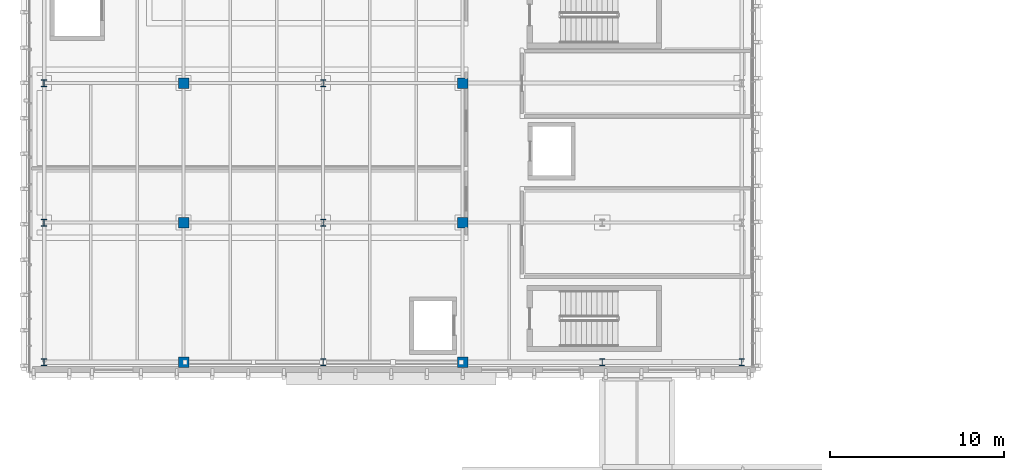
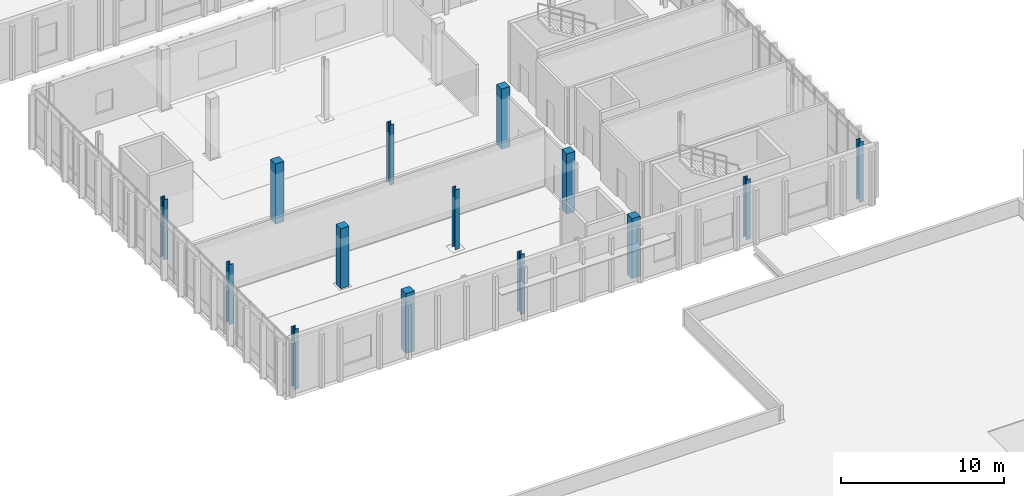
# One storey, part 2 of 86: 14 columns.
"""IFC4 building model written with IfcOpenShell, lengths in metres."""

from ifc_helpers import new_model, si_unit, direction, frame, origin, origin_2d, place, context, subcontext, project, spatial, rectangle, i_section, extrude, material, material_profile, profile_set, type_object, element, save


model = new_model("IFC4")

# Units and contexts
model_context = context("Model", 3, precision=1e-05, world=origin(), true_north=direction((0.0, 1.0)))
body_context = subcontext(model_context, "Body", "Model", "MODEL_VIEW")
ifc_project = project(units=[si_unit("LENGTHUNIT", "METRE"), si_unit("AREAUNIT", "SQUARE_METRE"), si_unit("VOLUMEUNIT", "CUBIC_METRE"), si_unit("PLANEANGLEUNIT", "RADIAN"), si_unit("MASSUNIT", "GRAM", prefix="KILO")], contexts=[model_context])

# Site, building, storey
site_placement = place(None, origin())
site = spatial("IfcSite", under=ifc_project, at=site_placement, CompositionType="ELEMENT")
building_placement = place(site_placement, origin())
building = spatial("IfcBuilding", under=site, at=building_placement, Name="Cymarion Research Institute", CompositionType="ELEMENT")
storey_placement = place(building_placement, frame((0.0, 0.0, 13.800048828125)))
storey = spatial("IfcBuildingStorey", under=building, at=storey_placement, Name="L03", CompositionType="ELEMENT", Elevation=13.800048828125)

# Columns
ifc_material_1 = material(Name="Steel S355", Category="steel")
ifc_material_profile_1 = material_profile(ifc_material_1, i_section(OverallWidth=0.300048828125, OverallDepth=0.39990234375, WebThickness=0.013427734375, FlangeThickness=0.02392578125, FilletRadius=0.027099609375, at=origin_2d()), Name="HEB 400")
ifc_profile_set_1 = profile_set([ifc_material_profile_1], Name="Steel S355")
column_type_1 = type_object("IfcColumnType", Name="STRUCTURAL COLUMN C06 HEB 400", PredefinedType="COLUMN", material=ifc_profile_set_1)
for number, where, z_axis, x_axis, name in (
    (1, (6.60009765625, 47.5, 0.0), (0.0, 0.0, 1.0), (1.0, 0.0, 0.0), "L03 V4 column C06 #864"),
    (2, (6.60009765625, 55.5, 0.0), (0.0, 0.0, 1.0), (1.0, 0.0, 0.0), "L03 V4 column C06 #865"),
    (3, (6.60009765625, 63.5, 0.0), (0.0, 0.0, 1.0), (1.0, 0.0, 0.0), "L03 V4 column C06 #866"),
    (4, (22.60009765625, 47.5, 0.0), (0.0, 0.0, 1.0), (1.0, 0.0, 0.0), "L03 V4 column C06 #883"),
    (5, (22.60009765625, 55.5, 0.0), (0.0, 0.0, 1.0), (1.0, 0.0, 0.0), "L03 V4 column C06 #884"),
    (6, (22.60009765625, 63.5, 0.0), (0.0, 0.0, 1.0), (1.0, 0.0, 0.0), "L03 V4 column C06 #885"),
    (7, (38.60009765625, 47.5, 0.0), (0.0, 0.0, 1.0), (1.0, 0.0, 0.0), "L03 V4 column C06 #906"),
    (8, (46.60009765625, 47.5, 0.0), (0.0, 0.0, 1.0), (1.0, 0.0, 0.0), "L03 V4 column C06 #916"),
):
    element("IfcColumn", number, at=place(storey_placement, frame(where, z_axis=z_axis, x_axis=x_axis)), inside=storey, type_object=column_type_1, Name=name, PredefinedType="COLUMN", context=body_context, shape_type="SweptSolid", body=[
        extrude(i_section(OverallWidth=0.300048828125, OverallDepth=0.39990234375, WebThickness=0.013427734375, FlangeThickness=0.02392578125, FilletRadius=0.027099609375, at=origin_2d()), origin(), (0.0, 0.0, 1.0), 4.5),
    ])
ifc_material_2 = material(Name="Concrete C40/50", Category="concrete")
ifc_material_profile_2 = material_profile(ifc_material_2, rectangle(XDim=0.60009765625, YDim=0.60009765625, at=origin_2d()), Name="RC 600x600")
ifc_profile_set_2 = profile_set([ifc_material_profile_2], Name="Concrete C40/50")
column_type_2 = type_object("IfcColumnType", Name="STRUCTURAL COLUMN C18 RC 600x600", PredefinedType="COLUMN", material=ifc_profile_set_2)
for number, where, z_axis, x_axis, name in (
    (9, (14.60009765625, 47.5, 0.0), (0.0, 0.0, 1.0), (1.0, 0.0, 0.0), "L03 V4 column C18 #874"),
    (10, (14.60009765625, 55.5, 0.0), (0.0, 0.0, 1.0), (1.0, 0.0, 0.0), "L03 V4 column C18 #875"),
    (11, (14.60009765625, 63.5, 0.0), (0.0, 0.0, 1.0), (1.0, 0.0, 0.0), "L03 V4 column C18 #876"),
    (12, (30.60009765625, 47.5, 0.0), (0.0, 0.0, 1.0), (1.0, 0.0, 0.0), "L03 V4 column C18 #893"),
    (13, (30.60009765625, 55.5, 0.0), (0.0, 0.0, 1.0), (1.0, 0.0, 0.0), "L03 V4 column C18 #894"),
    (14, (30.60009765625, 63.5, 0.0), (0.0, 0.0, 1.0), (1.0, 0.0, 0.0), "L03 V4 column C18 #895"),
):
    element("IfcColumn", number, at=place(storey_placement, frame(where, z_axis=z_axis, x_axis=x_axis)), inside=storey, type_object=column_type_2, Name=name, PredefinedType="COLUMN", context=body_context, shape_type="SweptSolid", body=[
        extrude(rectangle(XDim=0.60009765625, YDim=0.60009765625, at=origin_2d()), origin(), (0.0, 0.0, 1.0), 4.5),
    ])

save(model, "model.ifc")
